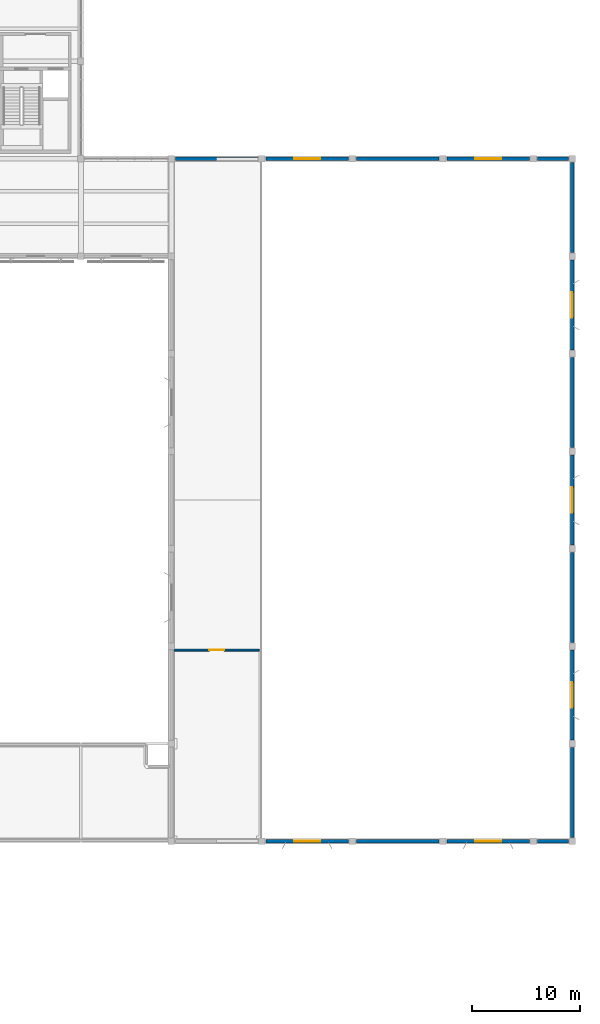
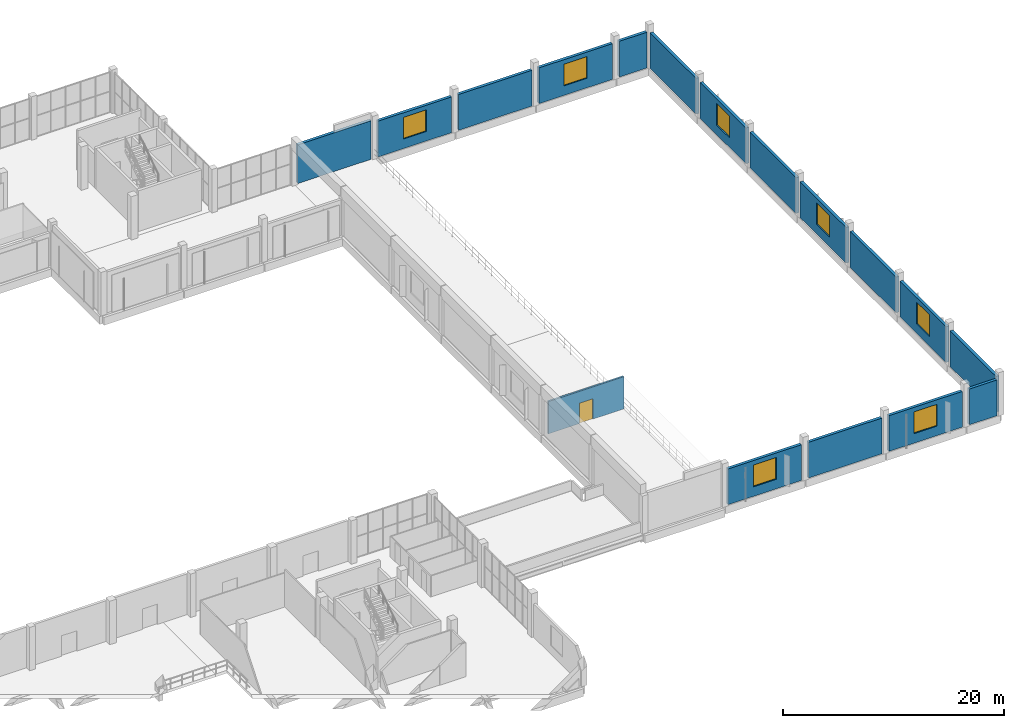
# One storey, part 62 of 80: 17 walls, 7 windows, 1 door, 8 openings.
"""IFC4 building model written with IfcOpenShell, lengths in metres."""

from ifc_helpers import new_model, si_unit, direction, frame, frame_2d, origin, place, context, subcontext, project, spatial, rectangle, extrude, material, layer, layer_set, type_object, element, fill, save


model = new_model("IFC4")

# Units and contexts
model_context = context("Model", 3, precision=1e-05, world=origin(), true_north=direction((0.0, 1.0)))
body_context = subcontext(model_context, "Body", "Model", "MODEL_VIEW")
ifc_project = project(units=[si_unit("LENGTHUNIT", "METRE"), si_unit("AREAUNIT", "SQUARE_METRE"), si_unit("VOLUMEUNIT", "CUBIC_METRE"), si_unit("PLANEANGLEUNIT", "RADIAN"), si_unit("MASSUNIT", "GRAM", prefix="KILO")], contexts=[model_context])

# Site, building, storey
site_placement = place(None, origin())
site = spatial("IfcSite", under=ifc_project, at=site_placement, CompositionType="ELEMENT")
building_placement = place(site_placement, origin())
building = spatial("IfcBuilding", under=site, at=building_placement, Name="Khurvash Pelagic Aquarium", CompositionType="ELEMENT")
storey_placement = place(building_placement, frame((0.0, 0.0, 10.800048828125)))
storey = spatial("IfcBuildingStorey", under=building, at=storey_placement, Name="L02", CompositionType="ELEMENT", Elevation=10.800048828125)

# Wall
ifc_material_1 = material(Name="Precast concrete C40/50", Category="concrete")
ifc_layer_1 = layer(ifc_material_1, 0.300048828125)
ifc_layer_set_1 = layer_set([ifc_layer_1], Name="Precast concrete C40/50")
wall_type_1 = type_object("IfcWallType", Name="EW-300", PredefinedType="STANDARD", material=ifc_layer_set_1)
wall_1_placement = place(storey_placement, frame((163.199951171875, 21.06005859375, 0.0), z_axis=(0.0, 0.0, 1.0), x_axis=(0.0, 1.0, 0.0)))
element("IfcWall", 1, at=wall_1_placement, inside=storey, type_object=wall_type_1, Name="L02 Ocean Tank Hall East Containment Wall EW-300 B1", PredefinedType="STANDARD", context=body_context, shape_type="SweptSolid", body=[
    extrude(rectangle(XDim=8.329833984375, YDim=0.300048828125, at=frame_2d((4.1650390625, 0.0))), origin(), (0.0, 0.0, 1.0), 3.949951171875),
])

# Wall, opening, window
wall_2_placement = place(storey_placement, frame((163.199951171875, 30.110107421875, 0.0), z_axis=(0.0, 0.0, 1.0), x_axis=(0.0, 1.0, 0.0)))
wall_2 = element("IfcWall", 2, at=wall_2_placement, inside=storey, type_object=wall_type_1, Name="L02 Ocean Tank Hall East Containment Wall EW-300 B2", PredefinedType="STANDARD", context=body_context, shape_type="SweptSolid", body=[
    extrude(rectangle(XDim=8.329833984375, YDim=0.300048828125, at=frame_2d((4.1650390625, 0.0))), origin(), (0.0, 0.0, 1.0), 3.949951171875),
])
opening_1_placement = place(wall_2_placement, frame((2.965087890625, 0.0, 1.050048828125)))
opening_1 = element("IfcOpeningElement", 3, at=opening_1_placement, cuts=wall_2, Name="Opening WN-02", PredefinedType="OPENING", context=body_context, shape_type="SweptSolid", body=[
    extrude(rectangle(XDim=2.39990234375, YDim=2.39990234375, at=frame_2d((1.199951171875, 1.199951171875))), frame((0.0, 0.16015625, 0.0), z_axis=(0.0, -1.0, 0.0), x_axis=(1.0, 0.0, 0.0)), (0.0, 0.0, 1.0), 0.320068359375),
])
ifc_material_2 = material(Name="Thermally broken aluminium and low-E glass", Category="aluminium")
window_type = type_object("IfcWindowType", Name="WN-02", PartitioningType="SINGLE_PANEL", PredefinedType="WINDOW", material=ifc_material_2)
window_1_placement = place(opening_1_placement, origin())
window_1 = element("IfcWindow", 4, at=window_1_placement, inside=storey, type_object=window_type, Name="L02 Ocean Hall Deep-Set Oceanic Portal Window WN-02", OverallHeight=2.39990234375, OverallWidth=2.39990234375, PartitioningType="SINGLE_PANEL", PredefinedType="WINDOW", context=body_context, shape_type="SweptSolid", body=[
    extrude(rectangle(XDim=2.39990234375, YDim=2.39990234375, at=frame_2d((1.199951171875, 1.199951171875))), frame((0.0, 0.030029296875, 0.0), z_axis=(0.0, -1.0, 0.0), x_axis=(1.0, 0.0, 0.0)), (0.0, 0.0, 1.0), 0.06005859375),
])
fill(opening_1, window_1)

# Wall
wall_3_placement = place(storey_placement, frame((163.199951171875, 39.159912109375, 0.0), z_axis=(0.0, 0.0, 1.0), x_axis=(0.0, 1.0, 0.0)))
element("IfcWall", 5, at=wall_3_placement, inside=storey, type_object=wall_type_1, Name="L02 Ocean Tank Hall East Containment Wall EW-300 B3", PredefinedType="STANDARD", context=body_context, shape_type="SweptSolid", body=[
    extrude(rectangle(XDim=8.330078125, YDim=0.300048828125, at=frame_2d((4.1650390625, 0.0))), origin(), (0.0, 0.0, 1.0), 3.949951171875),
])

# Wall, opening, window
wall_4_placement = place(storey_placement, frame((163.199951171875, 48.2099609375, 0.0), z_axis=(0.0, 0.0, 1.0), x_axis=(0.0, 1.0, 0.0)))
wall_4 = element("IfcWall", 6, at=wall_4_placement, inside=storey, type_object=wall_type_1, Name="L02 Ocean Tank Hall East Containment Wall EW-300 B4", PredefinedType="STANDARD", context=body_context, shape_type="SweptSolid", body=[
    extrude(rectangle(XDim=8.330078125, YDim=0.300048828125, at=frame_2d((4.1650390625, 0.0))), origin(), (0.0, 0.0, 1.0), 3.949951171875),
])
opening_2_placement = place(wall_4_placement, frame((2.965087890625, 0.0, 1.050048828125)))
opening_2 = element("IfcOpeningElement", 7, at=opening_2_placement, cuts=wall_4, Name="Opening WN-02", PredefinedType="OPENING", context=body_context, shape_type="SweptSolid", body=[
    extrude(rectangle(XDim=2.39990234375, YDim=2.39990234375, at=frame_2d((1.199951171875, 1.199951171875))), frame((0.0, 0.16015625, 0.0), z_axis=(0.0, -1.0, 0.0), x_axis=(1.0, 0.0, 0.0)), (0.0, 0.0, 1.0), 0.320068359375),
])
window_2_placement = place(opening_2_placement, origin())
window_2 = element("IfcWindow", 8, at=window_2_placement, inside=storey, type_object=window_type, Name="L02 Ocean Hall Deep-Set Oceanic Portal Window WN-02", OverallHeight=2.39990234375, OverallWidth=2.39990234375, PartitioningType="SINGLE_PANEL", PredefinedType="WINDOW", context=body_context, shape_type="SweptSolid", body=[
    extrude(rectangle(XDim=2.39990234375, YDim=2.39990234375, at=frame_2d((1.199951171875, 1.199951171875))), frame((0.0, 0.030029296875, 0.0), z_axis=(0.0, -1.0, 0.0), x_axis=(1.0, 0.0, 0.0)), (0.0, 0.0, 1.0), 0.06005859375),
])
fill(opening_2, window_2)

# Wall
wall_5_placement = place(storey_placement, frame((163.199951171875, 57.260009765625, 0.0), z_axis=(0.0, 0.0, 1.0), x_axis=(0.0, 1.0, 0.0)))
element("IfcWall", 9, at=wall_5_placement, inside=storey, type_object=wall_type_1, Name="L02 Ocean Tank Hall East Containment Wall EW-300 B5", PredefinedType="STANDARD", context=body_context, shape_type="SweptSolid", body=[
    extrude(rectangle(XDim=8.330078125, YDim=0.300048828125, at=frame_2d((4.1650390625, 0.0))), origin(), (0.0, 0.0, 1.0), 3.949951171875),
])

# Wall, opening, window
wall_6_placement = place(storey_placement, frame((163.199951171875, 66.31005859375, 0.0), z_axis=(0.0, 0.0, 1.0), x_axis=(0.0, 1.0, 0.0)))
wall_6 = element("IfcWall", 10, at=wall_6_placement, inside=storey, type_object=wall_type_1, Name="L02 Ocean Tank Hall East Containment Wall EW-300 B6", PredefinedType="STANDARD", context=body_context, shape_type="SweptSolid", body=[
    extrude(rectangle(XDim=8.329833984375, YDim=0.300048828125, at=frame_2d((4.1650390625, 0.0))), origin(), (0.0, 0.0, 1.0), 3.949951171875),
])
opening_3_placement = place(wall_6_placement, frame((2.965087890625, 0.0, 1.050048828125)))
opening_3 = element("IfcOpeningElement", 11, at=opening_3_placement, cuts=wall_6, Name="Opening WN-02", PredefinedType="OPENING", context=body_context, shape_type="SweptSolid", body=[
    extrude(rectangle(XDim=2.39990234375, YDim=2.39990234375, at=frame_2d((1.199951171875, 1.199951171875))), frame((0.0, 0.16015625, 0.0), z_axis=(0.0, -1.0, 0.0), x_axis=(1.0, 0.0, 0.0)), (0.0, 0.0, 1.0), 0.320068359375),
])
window_3_placement = place(opening_3_placement, origin())
window_3 = element("IfcWindow", 12, at=window_3_placement, inside=storey, type_object=window_type, Name="L02 Ocean Hall Deep-Set Oceanic Portal Window WN-02", OverallHeight=2.39990234375, OverallWidth=2.39990234375, PartitioningType="SINGLE_PANEL", PredefinedType="WINDOW", context=body_context, shape_type="SweptSolid", body=[
    extrude(rectangle(XDim=2.39990234375, YDim=2.39990234375, at=frame_2d((1.199951171875, 1.199951171875))), frame((0.0, 0.030029296875, 0.0), z_axis=(0.0, -1.0, 0.0), x_axis=(1.0, 0.0, 0.0)), (0.0, 0.0, 1.0), 0.06005859375),
])
fill(opening_3, window_3)

# Wall
wall_7_placement = place(storey_placement, frame((163.199951171875, 75.360107421875, 0.0), z_axis=(0.0, 0.0, 1.0), x_axis=(0.0, 1.0, 0.0)))
element("IfcWall", 13, at=wall_7_placement, inside=storey, type_object=wall_type_1, Name="L02 Ocean Tank Hall East Containment Wall EW-300 B7", PredefinedType="STANDARD", context=body_context, shape_type="SweptSolid", body=[
    extrude(rectangle(XDim=8.329833984375, YDim=0.300048828125, at=frame_2d((4.1650390625, 0.0))), origin(), (0.0, 0.0, 1.0), 3.949951171875),
])

# Wall, opening, window
wall_8_placement = place(storey_placement, frame((134.760009765625, 20.699951171875, 0.0), z_axis=(0.0, 0.0, 1.0), x_axis=(1.0, 0.0, 0.0)))
wall_8 = element("IfcWall", 14, at=wall_8_placement, inside=storey, type_object=wall_type_1, Name="L02 Ocean Tank Hall South Containment Wall EW-300 B2.1", PredefinedType="STANDARD", context=body_context, shape_type="SweptSolid", body=[
    extrude(rectangle(XDim=7.679931640625, YDim=0.300048828125, at=frame_2d((3.83984375, 0.0))), origin(), (0.0, 0.0, 1.0), 3.949951171875),
])
opening_4_placement = place(wall_8_placement, frame((2.639892578125, 0.0, 1.050048828125)))
opening_4 = element("IfcOpeningElement", 15, at=opening_4_placement, cuts=wall_8, Name="Opening WN-02", PredefinedType="OPENING", context=body_context, shape_type="SweptSolid", body=[
    extrude(rectangle(XDim=2.39990234375, YDim=2.39990234375, at=frame_2d((1.199951171875, 1.199951171875))), frame((0.0, 0.16015625, 0.0), z_axis=(0.0, -1.0, 0.0), x_axis=(1.0, 0.0, 0.0)), (0.0, 0.0, 1.0), 0.320068359375),
])
window_4_placement = place(opening_4_placement, origin())
window_4 = element("IfcWindow", 16, at=window_4_placement, inside=storey, type_object=window_type, Name="L02 Ocean Hall South Viewing Portal Window WN-02", OverallHeight=2.39990234375, OverallWidth=2.39990234375, PartitioningType="SINGLE_PANEL", PredefinedType="WINDOW", context=body_context, shape_type="SweptSolid", body=[
    extrude(rectangle(XDim=2.39990234375, YDim=2.39990234375, at=frame_2d((1.199951171875, 1.199951171875))), frame((0.0, 0.030029296875, 0.0), z_axis=(0.0, -1.0, 0.0), x_axis=(1.0, 0.0, 0.0)), (0.0, 0.0, 1.0), 0.06005859375),
])
fill(opening_4, window_4)

# Wall
wall_9_placement = place(storey_placement, frame((143.159912109375, 20.699951171875, 0.0), z_axis=(0.0, 0.0, 1.0), x_axis=(1.0, 0.0, 0.0)))
element("IfcWall", 17, at=wall_9_placement, inside=storey, type_object=wall_type_1, Name="L02 Ocean Tank Hall South Containment Wall EW-300 B3.1", PredefinedType="STANDARD", context=body_context, shape_type="SweptSolid", body=[
    extrude(rectangle(XDim=7.68017578125, YDim=0.300048828125, at=frame_2d((3.840087890625, 0.0))), origin(), (0.0, 0.0, 1.0), 3.949951171875),
])

# Wall, opening, window
wall_10_placement = place(storey_placement, frame((151.56005859375, 20.699951171875, 0.0), z_axis=(0.0, 0.0, 1.0), x_axis=(1.0, 0.0, 0.0)))
wall_10 = element("IfcWall", 18, at=wall_10_placement, inside=storey, type_object=wall_type_1, Name="L02 Ocean Tank Hall South Containment Wall EW-300 B4.1", PredefinedType="STANDARD", context=body_context, shape_type="SweptSolid", body=[
    extrude(rectangle(XDim=7.679931640625, YDim=0.300048828125, at=frame_2d((3.83984375, 0.0))), origin(), (0.0, 0.0, 1.0), 3.949951171875),
])
opening_5_placement = place(wall_10_placement, frame((2.639892578125, 0.0, 1.050048828125)))
opening_5 = element("IfcOpeningElement", 19, at=opening_5_placement, cuts=wall_10, Name="Opening WN-02", PredefinedType="OPENING", context=body_context, shape_type="SweptSolid", body=[
    extrude(rectangle(XDim=2.39990234375, YDim=2.39990234375, at=frame_2d((1.199951171875, 1.199951171875))), frame((0.0, 0.16015625, 0.0), z_axis=(0.0, -1.0, 0.0), x_axis=(1.0, 0.0, 0.0)), (0.0, 0.0, 1.0), 0.320068359375),
])
window_5_placement = place(opening_5_placement, origin())
window_5 = element("IfcWindow", 20, at=window_5_placement, inside=storey, type_object=window_type, Name="L02 Ocean Hall South Viewing Portal Window WN-02", OverallHeight=2.39990234375, OverallWidth=2.39990234375, PartitioningType="SINGLE_PANEL", PredefinedType="WINDOW", context=body_context, shape_type="SweptSolid", body=[
    extrude(rectangle(XDim=2.39990234375, YDim=2.39990234375, at=frame_2d((1.199951171875, 1.199951171875))), frame((0.0, 0.030029296875, 0.0), z_axis=(0.0, -1.0, 0.0), x_axis=(1.0, 0.0, 0.0)), (0.0, 0.0, 1.0), 0.06005859375),
])
fill(opening_5, window_5)

# Walls
wall_11_placement = place(storey_placement, frame((159.9599609375, 20.699951171875, 0.0), z_axis=(0.0, 0.0, 1.0), x_axis=(1.0, 0.0, 0.0)))
element("IfcWall", 21, at=wall_11_placement, inside=storey, type_object=wall_type_1, Name="L02 Ocean Tank Hall South Containment Wall EW-300 B5.1", PredefinedType="STANDARD", context=body_context, shape_type="SweptSolid", body=[
    extrude(rectangle(XDim=2.880126953125, YDim=0.300048828125, at=frame_2d((1.43994140625, 0.0))), origin(), (0.0, 0.0, 1.0), 3.949951171875),
])
wall_12_placement = place(storey_placement, frame((134.0400390625, 84.050048828125, 0.0), z_axis=(0.0, 0.0, 1.0), x_axis=(-1.0, 0.0, 0.0)))
element("IfcWall", 22, at=wall_12_placement, inside=storey, type_object=wall_type_1, Name="L02 Ocean Tank Hall North Containment Wall EW-300 B1.1", PredefinedType="STANDARD", context=body_context, shape_type="SweptSolid", body=[
    extrude(rectangle(XDim=7.679931640625, YDim=0.300048828125, at=frame_2d((3.83984375, 0.0))), origin(), (0.0, 0.0, 1.0), 4.27001953125),
])

# Wall, opening, window
wall_13_placement = place(storey_placement, frame((142.43994140625, 84.050048828125, 0.0), z_axis=(0.0, 0.0, 1.0), x_axis=(-1.0, 0.0, 0.0)))
wall_13 = element("IfcWall", 23, at=wall_13_placement, inside=storey, type_object=wall_type_1, Name="L02 Ocean Tank Hall North Containment Wall EW-300 B2.1", PredefinedType="STANDARD", context=body_context, shape_type="SweptSolid", body=[
    extrude(rectangle(XDim=7.679931640625, YDim=0.300048828125, at=frame_2d((3.83984375, 0.0))), origin(), (0.0, 0.0, 1.0), 3.949951171875),
])
opening_6_placement = place(wall_13_placement, frame((2.639892578125, 0.0, 1.050048828125)))
opening_6 = element("IfcOpeningElement", 24, at=opening_6_placement, cuts=wall_13, Name="Opening WN-02", PredefinedType="OPENING", context=body_context, shape_type="SweptSolid", body=[
    extrude(rectangle(XDim=2.39990234375, YDim=2.39990234375, at=frame_2d((1.199951171875, 1.199951171875))), frame((0.0, 0.16015625, 0.0), z_axis=(0.0, -1.0, 0.0), x_axis=(1.0, 0.0, 0.0)), (0.0, 0.0, 1.0), 0.320068359375),
])
window_6_placement = place(opening_6_placement, origin())
window_6 = element("IfcWindow", 25, at=window_6_placement, inside=storey, type_object=window_type, Name="L02 Ocean Hall North Viewing Portal Window WN-02", OverallHeight=2.39990234375, OverallWidth=2.39990234375, PartitioningType="SINGLE_PANEL", PredefinedType="WINDOW", context=body_context, shape_type="SweptSolid", body=[
    extrude(rectangle(XDim=2.39990234375, YDim=2.39990234375, at=frame_2d((1.199951171875, 1.199951171875))), frame((0.0, 0.030029296875, 0.0), z_axis=(0.0, -1.0, 0.0), x_axis=(1.0, 0.0, 0.0)), (0.0, 0.0, 1.0), 0.06005859375),
])
fill(opening_6, window_6)

# Wall
wall_14_placement = place(storey_placement, frame((150.840087890625, 84.050048828125, 0.0), z_axis=(0.0, 0.0, 1.0), x_axis=(-1.0, 0.0, 0.0)))
element("IfcWall", 26, at=wall_14_placement, inside=storey, type_object=wall_type_1, Name="L02 Ocean Tank Hall North Containment Wall EW-300 B3.1", PredefinedType="STANDARD", context=body_context, shape_type="SweptSolid", body=[
    extrude(rectangle(XDim=7.68017578125, YDim=0.300048828125, at=frame_2d((3.840087890625, 0.0))), origin(), (0.0, 0.0, 1.0), 3.949951171875),
])

# Wall, opening, window
wall_15_placement = place(storey_placement, frame((159.239990234375, 84.050048828125, 0.0), z_axis=(0.0, 0.0, 1.0), x_axis=(-1.0, 0.0, 0.0)))
wall_15 = element("IfcWall", 27, at=wall_15_placement, inside=storey, type_object=wall_type_1, Name="L02 Ocean Tank Hall North Containment Wall EW-300 B4.1", PredefinedType="STANDARD", context=body_context, shape_type="SweptSolid", body=[
    extrude(rectangle(XDim=7.679931640625, YDim=0.300048828125, at=frame_2d((3.83984375, 0.0))), origin(), (0.0, 0.0, 1.0), 3.949951171875),
])
opening_7_placement = place(wall_15_placement, frame((2.639892578125, 0.0, 1.050048828125)))
opening_7 = element("IfcOpeningElement", 28, at=opening_7_placement, cuts=wall_15, Name="Opening WN-02", PredefinedType="OPENING", context=body_context, shape_type="SweptSolid", body=[
    extrude(rectangle(XDim=2.39990234375, YDim=2.39990234375, at=frame_2d((1.199951171875, 1.199951171875))), frame((0.0, 0.16015625, 0.0), z_axis=(0.0, -1.0, 0.0), x_axis=(1.0, 0.0, 0.0)), (0.0, 0.0, 1.0), 0.320068359375),
])
window_7_placement = place(opening_7_placement, origin())
window_7 = element("IfcWindow", 29, at=window_7_placement, inside=storey, type_object=window_type, Name="L02 Ocean Hall North Viewing Portal Window WN-02", OverallHeight=2.39990234375, OverallWidth=2.39990234375, PartitioningType="SINGLE_PANEL", PredefinedType="WINDOW", context=body_context, shape_type="SweptSolid", body=[
    extrude(rectangle(XDim=2.39990234375, YDim=2.39990234375, at=frame_2d((1.199951171875, 1.199951171875))), frame((0.0, 0.030029296875, 0.0), z_axis=(0.0, -1.0, 0.0), x_axis=(1.0, 0.0, 0.0)), (0.0, 0.0, 1.0), 0.06005859375),
])
fill(opening_7, window_7)

# Wall
wall_16_placement = place(storey_placement, frame((162.840087890625, 84.050048828125, 0.0), z_axis=(0.0, 0.0, 1.0), x_axis=(-1.0, 0.0, 0.0)))
element("IfcWall", 30, at=wall_16_placement, inside=storey, type_object=wall_type_1, Name="L02 Ocean Tank Hall North Containment Wall EW-300 B5.1", PredefinedType="STANDARD", context=body_context, shape_type="SweptSolid", body=[
    extrude(rectangle(XDim=2.880126953125, YDim=0.300048828125, at=frame_2d((1.43994140625, 0.0))), origin(), (0.0, 0.0, 1.0), 3.949951171875),
])

# Wall, opening, door
ifc_material_3 = material(Name="AAC blockwork", Category="masonry")
ifc_layer_2 = layer(ifc_material_3, 0.18505859375)
ifc_layer_set_2 = layer_set([ifc_layer_2], Name="AAC blockwork")
wall_type_2 = type_object("IfcWallType", Name="PW-185", PredefinedType="PARTITIONING", material=ifc_layer_set_2)
wall_17_placement = place(storey_placement, frame((126.257080078125, 38.449951171875, 0.0), z_axis=(0.0, 0.0, 1.0), x_axis=(1.0, 0.0, 0.0)))
wall_17 = element("IfcWall", 31, at=wall_17_placement, inside=storey, type_object=wall_type_2, Name="L02 Ocean Tank Surge Generator and Dive Deck Partition Wall PW-185", PredefinedType="PARTITIONING", context=body_context, shape_type="SweptSolid", body=[
    extrude(rectangle(XDim=7.885986328125, YDim=0.18505859375, at=frame_2d((3.94287109375, 0.0))), origin(), (0.0, 0.0, 1.0), 3.56298828125),
])
opening_8_placement = place(wall_17_placement, frame((3.242919921875, 0.0, 0.0)))
opening_8 = element("IfcOpeningElement", 32, at=opening_8_placement, cuts=wall_17, Name="Opening FD-03", PredefinedType="OPENING", context=body_context, shape_type="SweptSolid", body=[
    extrude(rectangle(XDim=1.39990234375, YDim=2.25, at=frame_2d((0.699951171875, 1.125))), frame((0.0, 0.1025390625, 0.0), z_axis=(0.0, -1.0, 0.0), x_axis=(1.0, 0.0, 0.0)), (0.0, 0.0, 1.0), 0.205078125),
])
ifc_material_4 = material(Name="Galvanised steel plant fire door", Category="steel")
door_type = type_object("IfcDoorType", Name="FD-03", OperationType="NOTDEFINED", PredefinedType="DOOR", material=ifc_material_4)
door_placement = place(opening_8_placement, frame((1.39990234375, 0.0, 0.0), z_axis=(0.0, 0.0, 1.0), x_axis=(-1.0, 0.0, 0.0)))
door = element("IfcDoor", 33, at=door_placement, inside=storey, type_object=door_type, Name="DR-0160", OperationType="SINGLE_SWING_LEFT", OverallHeight=2.25, OverallWidth=1.39990234375, PredefinedType="DOOR", context=body_context, shape_type="SweptSolid", body=[
    extrude(rectangle(XDim=1.39990234375, YDim=2.25, at=frame_2d((0.699951171875, 1.125))), frame((0.0, 0.02490234375, 0.0), z_axis=(0.0, -1.0, 0.0), x_axis=(1.0, 0.0, 0.0)), (0.0, 0.0, 1.0), 0.050048828125),
])
fill(opening_8, door)

save(model, "model.ifc")
